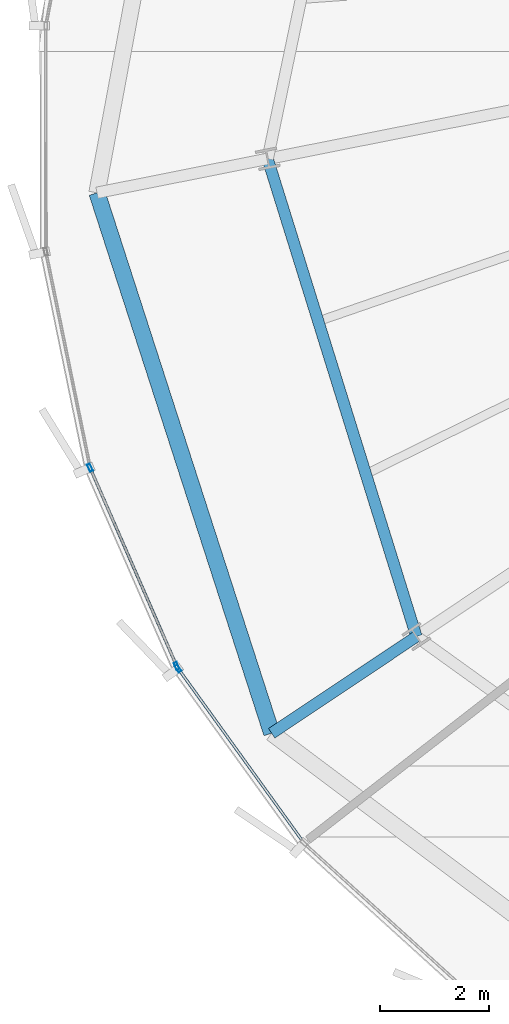
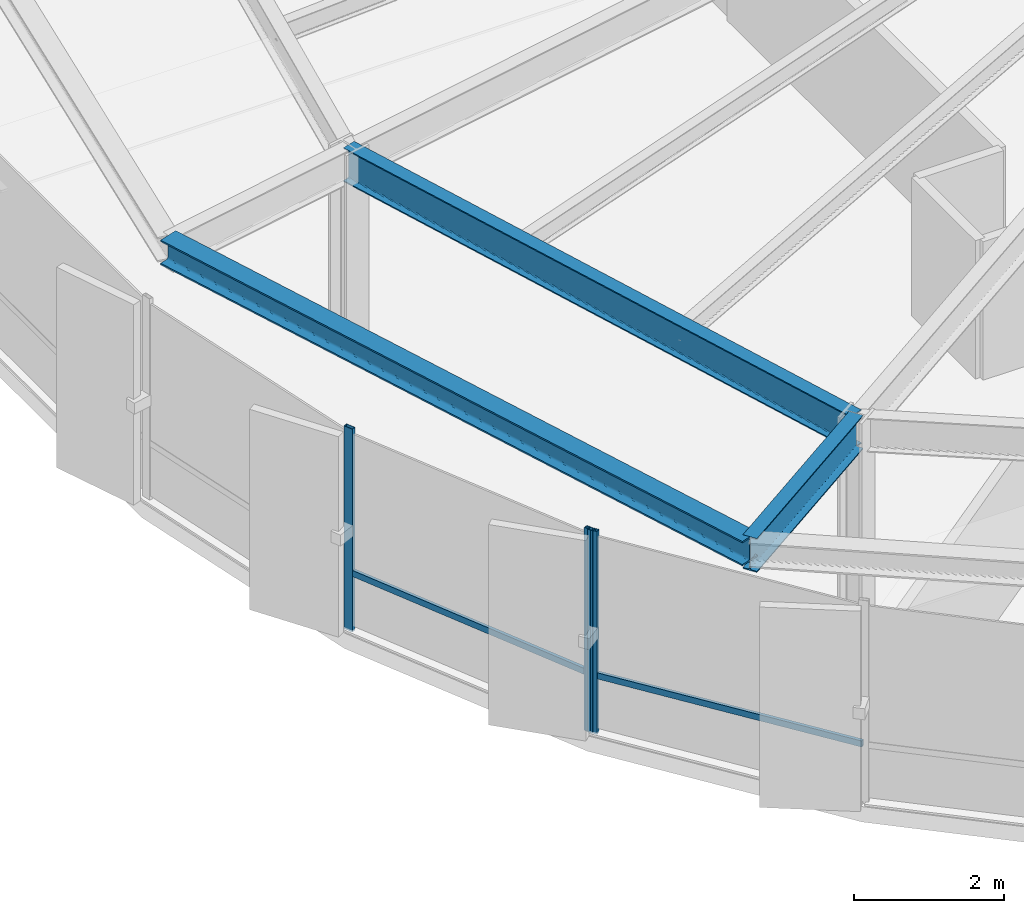
# One storey, part 3 of 34: 5 members, 3 beams, 2 elements without a shape of their own.
"""IFC4 building model written with IfcOpenShell, lengths in metres."""

from ifc_helpers import new_model, si_unit, direction, frame, origin, origin_2d, place, context, subcontext, project, spatial, hollow_rectangle, i_section, extrude, source, transform, mapped, material, layer, layer_set, material_profile, profile_set, type_object, element, aggregate, save


model = new_model("IFC4")

# Units and contexts
model_context = context("Model", 3, precision=1e-05, world=origin(), true_north=direction((0.0, 1.0)))
body_context = subcontext(model_context, "Body", "Model", "MODEL_VIEW")
ifc_project = project(units=[si_unit("LENGTHUNIT", "METRE"), si_unit("AREAUNIT", "SQUARE_METRE"), si_unit("VOLUMEUNIT", "CUBIC_METRE"), si_unit("PLANEANGLEUNIT", "RADIAN"), si_unit("MASSUNIT", "GRAM", prefix="KILO"), si_unit("THERMODYNAMICTEMPERATUREUNIT", "KELVIN")], contexts=[model_context])

# Site, building, storey
site_placement = place(None, origin())
site = spatial("IfcSite", under=ifc_project, at=site_placement, CompositionType="ELEMENT")
building_placement = place(site_placement, origin())
building = spatial("IfcBuilding", under=site, at=building_placement, Name="Kethvar Cultural Tower", CompositionType="ELEMENT")
storey_placement = place(building_placement, frame((0.0, 0.0, 153.64990234375)))
storey = spatial("IfcBuildingStorey", under=building, at=storey_placement, Name="L39", CompositionType="ELEMENT", Elevation=153.64990234375)

# Beams
ifc_material_1 = material(Name="Steel S355J2", Category="steel")
ifc_material_profile_1 = material_profile(ifc_material_1, i_section(OverallWidth=0.2099609375, OverallDepth=0.550048828125, WebThickness=0.010986328125, FlangeThickness=0.01708984375, FilletRadius=0.02392578125, at=origin_2d()), Name="Steel S355J2 — IPE550")
ifc_profile_set_1 = profile_set([ifc_material_profile_1], Name="Steel S355J2 — IPE550")
beam_type_1 = type_object("IfcBeamType", Name="BM-IPE550", PredefinedType="BEAM", material=ifc_profile_set_1)
shared_shape_1 = source(origin(), body_context, "Body", "SweptSolid", [
    extrude(i_section(OverallWidth=0.2099609375, OverallDepth=0.550048828125, WebThickness=0.010986328125, FlangeThickness=0.01708984375, FilletRadius=0.02392578125, at=origin_2d()), origin(), (0.0, 0.0, 1.0), 3.199951171875),
])
beam_1_placement = place(storey_placement, frame((26.920654296875, 14.51708984375, 3.023193359375), z_axis=(-0.831462943996, -0.555580212716, 0.0), x_axis=(0.555580212716, -0.831462943996, 0.0)))
element("IfcBeam", 1, at=beam_1_placement, inside=storey, type_object=beam_type_1, Name="L39 Perimeter Cantilever Beam RC-10", PredefinedType="BEAM", context=body_context, shape_type="MappedRepresentation", body=[
    mapped(shared_shape_1, transform((0.0, 0.0, 0.0), scale=1.0)),
])
shared_shape_2 = source(origin(), body_context, "Body", "SweptSolid", [
    extrude(i_section(OverallWidth=0.2099609375, OverallDepth=0.550048828125, WebThickness=0.010986328125, FlangeThickness=0.01708984375, FilletRadius=0.02392578125, at=origin_2d()), origin(), (0.0, 0.0, 1.0), 9.20068359375),
])
beam_2_placement = place(storey_placement, frame((24.185302734375, 23.3017578125, 3.023193359375), z_axis=(0.297298800285, -0.954784490526, 0.0), x_axis=(0.954784490526, 0.297298800285, 0.0)))
element("IfcBeam", 2, at=beam_2_placement, inside=storey, type_object=beam_type_1, Name="L39 Column Ring Tie Beam CR-09", PredefinedType="BEAM", context=body_context, shape_type="MappedRepresentation", body=[
    mapped(shared_shape_2, transform((0.0, 0.0, 0.0), scale=1.0)),
])
ifc_material_profile_2 = material_profile(ifc_material_1, i_section(OverallWidth=0.300048828125, OverallDepth=0.39990234375, WebThickness=0.013427734375, FlangeThickness=0.02392578125, FilletRadius=0.027099609375, at=origin_2d()), Name="Steel S355J2 — HEB400")
ifc_profile_set_2 = profile_set([ifc_material_profile_2], Name="Steel S355J2 — HEB400")
beam_type_2 = type_object("IfcBeamType", Name="BM-SP400", PredefinedType="SPANDREL", material=ifc_profile_set_2)
shared_shape_3 = source(origin(), body_context, "Body", "SweptSolid", [
    extrude(i_section(OverallWidth=0.300048828125, OverallDepth=0.39990234375, WebThickness=0.013427734375, FlangeThickness=0.02392578125, FilletRadius=0.027099609375, at=origin_2d()), origin(), (0.0, 0.0, 1.0), 10.44482421875),
])
beam_3_placement = place(storey_placement, frame((21.046875, 22.677490234375, 3.09814453125), z_axis=(0.307631709258, -0.951505507845, 0.0), x_axis=(0.951505507845, 0.307631709258, 0.0)))
element("IfcBeam", 3, at=beam_3_placement, inside=storey, type_object=beam_type_2, Name="L39 Perimeter Spandrel Beam SP-09", PredefinedType="SPANDREL", context=body_context, shape_type="MappedRepresentation", body=[
    mapped(shared_shape_3, transform((0.0, 0.0, 0.0), scale=1.0)),
])

# Curtain wall, members
ifc_material_2 = material(Name="Aluminium 6063-T6", Category="aluminium")
ifc_layer = layer(ifc_material_2, 0.179931640625, Name="Aluminium 6063-T6", Category="aluminium")
ifc_layer_set = layer_set([ifc_layer], Name="Aluminium 6063-T6 (180 mm)")
curtain_wall_type = type_object("IfcCurtainWallType", Name="CW-SYS-04-Z34", PredefinedType="NOTDEFINED", material=ifc_layer_set)
curtain_wall_1_placement = place(storey_placement, origin())
curtain_wall_1 = element("IfcCurtainWall", 4, at=curtain_wall_1_placement, inside=storey, type_object=curtain_wall_type, Name="L39 Curtain Wall Run 03", PredefinedType="NOTDEFINED")
ifc_material_profile_3 = material_profile(ifc_material_2, hollow_rectangle(XDim=0.06005859375, YDim=0.139892578125, WallThickness=0.0048828125, at=origin_2d()), Name="Aluminium 6063-T6 — RHS140x60x5")
ifc_profile_set_3 = profile_set([ifc_material_profile_3], Name="Aluminium 6063-T6 — RHS140x60x5")
member_type_1 = type_object("IfcMemberType", Name="CW-SYS-04-Z34-MUL", PredefinedType="MULLION", material=ifc_profile_set_3)
shared_shape_4 = source(origin(), body_context, "Body", "SweptSolid", [
    extrude(hollow_rectangle(XDim=0.06005859375, YDim=0.139892578125, WallThickness=0.0048828125, at=origin_2d()), origin(), (0.0, 0.0, 1.0), 3.300048828125),
])
member_1_placement = place(storey_placement, frame((20.918212890625, 17.622314453125, 0.0), z_axis=(0.0, 0.0, 1.0), x_axis=(0.916299831578, 0.400492969538, 0.0)))
member_1 = element("IfcMember", 5, at=member_1_placement, type_object=member_type_1, Name="CW-L39-R03 Mullion 6", PredefinedType="MULLION", context=body_context, shape_type="MappedRepresentation", body=[
    mapped(shared_shape_4, transform((0.0, 0.0, 0.0), scale=1.0)),
])
member_2_placement = place(storey_placement, frame((22.511474609375, 13.977294921875, 0.0), z_axis=(0.0, 0.0, 1.0), x_axis=(0.916299831578, 0.400492969538, 0.0)))
member_2 = element("IfcMember", 6, at=member_2_placement, type_object=member_type_1, Name="CW-L39-R03 Mullion 7", PredefinedType="MULLION", context=body_context, shape_type="MappedRepresentation", body=[
    mapped(shared_shape_4, transform((0.0, 0.0, 0.0), scale=1.0)),
])

# Curtain wall, member
curtain_wall_2_placement = place(storey_placement, origin())
curtain_wall_2 = element("IfcCurtainWall", 7, at=curtain_wall_2_placement, inside=storey, type_object=curtain_wall_type, Name="L39 Curtain Wall Run 04", PredefinedType="NOTDEFINED")
member_3_placement = place(storey_placement, frame((22.5380859375, 13.93017578125, 0.0), z_axis=(0.0, 0.0, 1.0), x_axis=(0.811145486582, 0.584844423413, 0.0)))
member_3 = element("IfcMember", 8, at=member_3_placement, type_object=member_type_1, Name="CW-L39-R04 Mullion 1", PredefinedType="MULLION", context=body_context, shape_type="MappedRepresentation", body=[
    mapped(shared_shape_4, transform((0.0, 0.0, 0.0), scale=1.0)),
])

# Member
ifc_material_profile_4 = material_profile(ifc_material_2, hollow_rectangle(XDim=0.050048828125, YDim=0.10009765625, WallThickness=0.00390625, at=origin_2d()), Name="Aluminium 6063-T6 — RHS100x50x4")
ifc_profile_set_4 = profile_set([ifc_material_profile_4], Name="Aluminium 6063-T6 — RHS100x50x4")
member_type_2 = type_object("IfcMemberType", Name="CW-SYS-04-Z34-TRN", PredefinedType="USERDEFINED", material=ifc_profile_set_4)
shared_shape_5 = source(origin(), body_context, "Body", "SweptSolid", [
    extrude(hollow_rectangle(XDim=0.050048828125, YDim=0.10009765625, WallThickness=0.00390625, at=origin_2d()), origin(), (0.0, 0.0, 1.0), 3.930908203125),
])
member_4_placement = place(storey_placement, frame((20.935546875, 17.582763671875, 0.9501953125), z_axis=(0.400483211223, -0.916304096645, 0.0), x_axis=(0.916304096645, 0.400483211223, 0.0)))
member_4 = element("IfcMember", 9, at=member_4_placement, type_object=member_type_2, Name="CW-L39-R03 Transom 6", ObjectType="TRANSOM", PredefinedType="USERDEFINED", context=body_context, shape_type="MappedRepresentation", body=[
    mapped(shared_shape_5, transform((0.0, 0.0, 0.0), scale=1.0)),
])

aggregate(curtain_wall_1, [member_1, member_2, member_4])

shared_shape_6 = source(origin(), body_context, "Body", "SweptSolid", [
    extrude(hollow_rectangle(XDim=0.050048828125, YDim=0.10009765625, WallThickness=0.00390625, at=origin_2d()), origin(), (0.0, 0.0, 1.0), 3.9306640625),
])
member_5_placement = place(storey_placement, frame((22.540771484375, 13.9267578125, 0.9501953125), z_axis=(0.584828187337, -0.811157192717, 0.0), x_axis=(0.811157192717, 0.584828187337, 0.0)))
member_5 = element("IfcMember", 10, at=member_5_placement, type_object=member_type_2, Name="CW-L39-R04 Transom 1", ObjectType="TRANSOM", PredefinedType="USERDEFINED", context=body_context, shape_type="MappedRepresentation", body=[
    mapped(shared_shape_6, transform((0.0, 0.0, 0.0), scale=1.0)),
])

aggregate(curtain_wall_2, [member_3, member_5])

save(model, "model.ifc")
